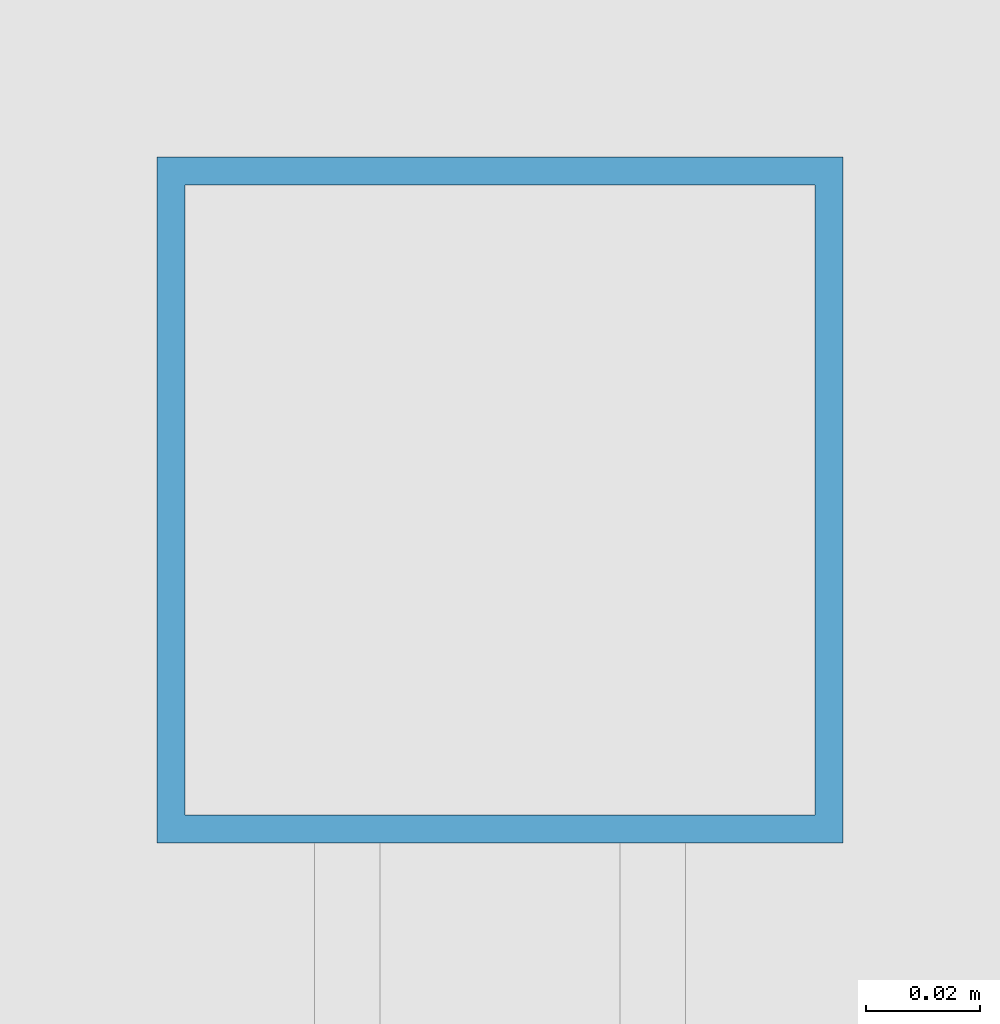
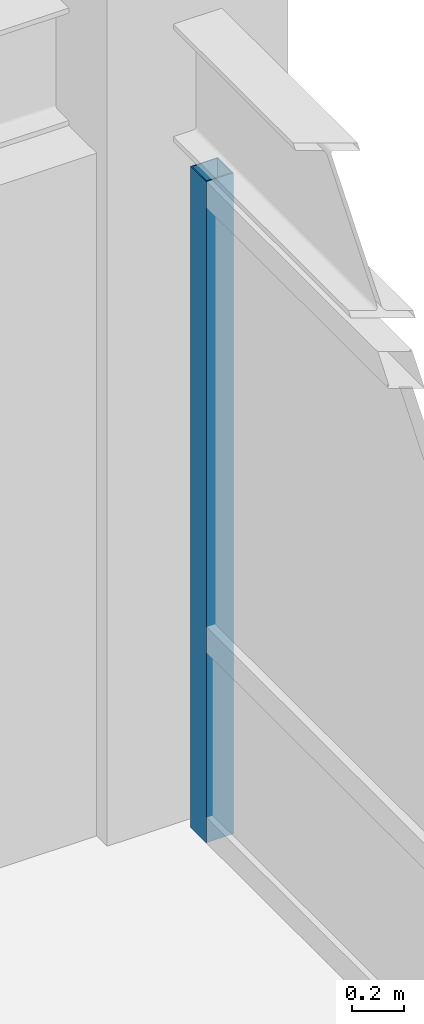
# One storey, part 20 of 28: 1 member, 1 element without a shape of its own.
"""IFC4 building model written with IfcOpenShell, lengths in metres."""

from ifc_helpers import new_model, si_unit, direction, frame, origin, origin_2d, place, context, subcontext, project, spatial, hollow_rectangle, extrude, source, transform, mapped, material, material_profile, profile_set, type_object, element, aggregate, save


model = new_model("IFC4")

# Units and contexts
model_context = context("Model", 3, precision=1e-05, world=origin(), true_north=direction((0.0, 1.0)))
body_context = subcontext(model_context, "Body", "Model", "MODEL_VIEW")
ifc_project = project(units=[si_unit("LENGTHUNIT", "METRE"), si_unit("AREAUNIT", "SQUARE_METRE"), si_unit("VOLUMEUNIT", "CUBIC_METRE"), si_unit("PLANEANGLEUNIT", "RADIAN"), si_unit("MASSUNIT", "GRAM", prefix="KILO")], contexts=[model_context])

# Site, building, storey
site_placement = place(None, origin())
site = spatial("IfcSite", under=ifc_project, at=site_placement, CompositionType="ELEMENT")
building_placement = place(site_placement, origin())
building = spatial("IfcBuilding", under=site, at=building_placement, Name="Khorayat Bourse Tower", CompositionType="ELEMENT")
storey_placement = place(building_placement, frame((0.0, 0.0, 330.300048828125)))
storey = spatial("IfcBuildingStorey", under=building, at=storey_placement, Name="L78", CompositionType="ELEMENT", Elevation=330.300048828125)

# Curtain wall, member
ifc_material = material(Name="Aluminium EN AW-6063 T6", Category="aluminium")
curtain_wall_type = type_object("IfcCurtainWallType", Name="CW-SYS-04", PredefinedType="NOTDEFINED", material=ifc_material)
curtain_wall_placement = place(storey_placement, origin())
curtain_wall = element("IfcCurtainWall", 1, at=curtain_wall_placement, inside=storey, type_object=curtain_wall_type, Name="L78 Curtain Wall CW-L78-E1", PredefinedType="NOTDEFINED")
ifc_material_profile = material_profile(ifc_material, hollow_rectangle(XDim=0.1201171875, YDim=0.1201171875, WallThickness=0.0048828125, at=origin_2d()), Name="ALU 120x120x5")
ifc_profile_set = profile_set([ifc_material_profile], Name="Aluminium EN AW-6063 T6")
member_type = type_object("IfcMemberType", Name="CWM-VERT-120", PredefinedType="MULLION", material=ifc_profile_set)
shared_shape = source(origin(), body_context, "Body", "SweptSolid", [
    extrude(hollow_rectangle(XDim=0.1201171875, YDim=0.1201171875, WallThickness=0.0048828125, at=origin_2d()), origin(), (0.0, 0.0, 1.0), 3.08984375),
])
member_placement = place(storey_placement, frame((26.0, 19.489990234375, 0.0), z_axis=(0.0, 0.0, 1.0), x_axis=(-1.0, 0.0, 0.0)))
member = element("IfcMember", 2, at=member_placement, type_object=member_type, Name="CW-L78-E1 Vertical Mullion 3", PredefinedType="MULLION", context=body_context, shape_type="MappedRepresentation", body=[
    mapped(shared_shape, transform((0.0, 0.0, 0.0), scale=1.0)),
])
aggregate(curtain_wall, [member])

save(model, "model.ifc")
